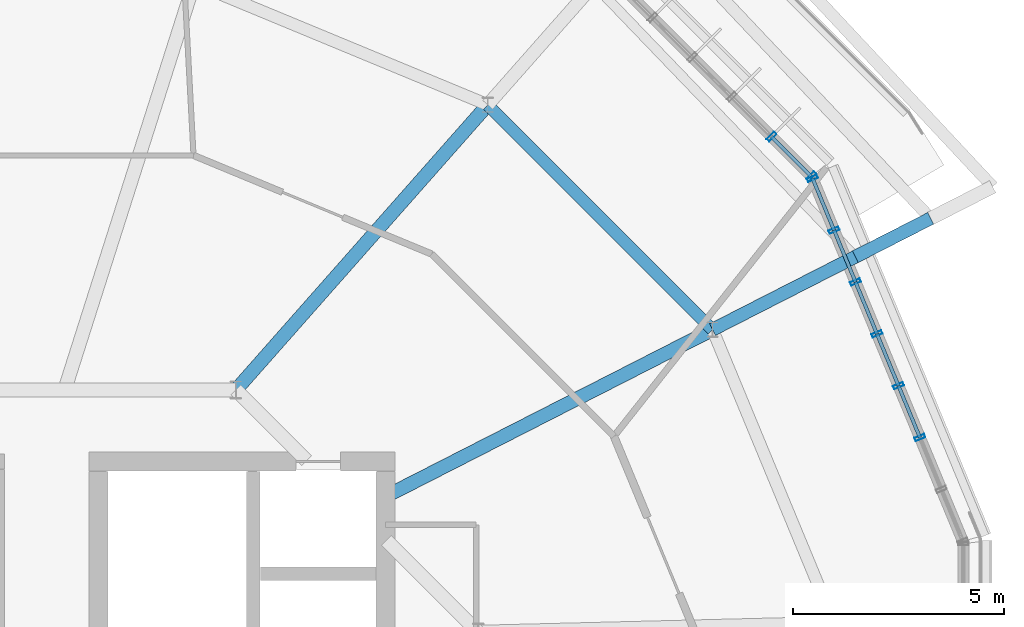
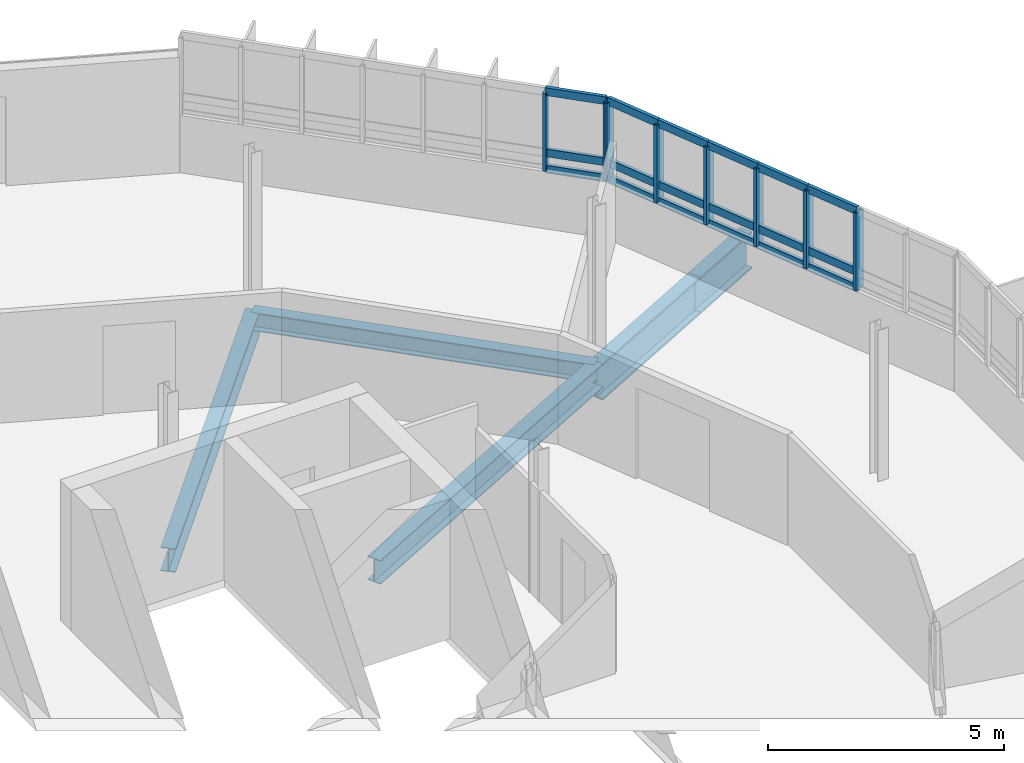
# One storey, part 20 of 31: 26 members, 5 beams, 2 elements without a shape of their own.
"""IFC4 building model written with IfcOpenShell, lengths in metres."""

from ifc_helpers import new_model, si_unit, derived_unit, direction, frame, origin, origin_2d, place, context, subcontext, project, spatial, hollow_rectangle, i_section, extrude, material, layer, layer_set, material_profile, profile_set, type_object, element, aggregate, save


model = new_model("IFC4")

# Units and contexts
model_context = context("Model", 3, precision=1e-05, world=origin(), true_north=direction((0.0, 1.0)))
body_context = subcontext(model_context, "Body", "Model", "MODEL_VIEW")
ifc_project = project(units=[si_unit("LENGTHUNIT", "METRE"), si_unit("AREAUNIT", "SQUARE_METRE"), si_unit("VOLUMEUNIT", "CUBIC_METRE"), si_unit("PLANEANGLEUNIT", "RADIAN"), si_unit("MASSUNIT", "GRAM", prefix="KILO"), derived_unit("THERMALTRANSMITTANCEUNIT", [(si_unit("MASSUNIT", "GRAM", prefix="KILO"), 1), (si_unit("TIMEUNIT", "SECOND"), -3), (si_unit("THERMODYNAMICTEMPERATUREUNIT", "KELVIN"), -1)])], contexts=[model_context])

# Site, building, storey
site_placement = place(None, origin())
site = spatial("IfcSite", under=ifc_project, at=site_placement, CompositionType="ELEMENT")
building_placement = place(site_placement, origin())
building = spatial("IfcBuilding", under=site, at=building_placement, Name="Makaiwela Harbour Ferry Terminal", CompositionType="ELEMENT")
storey_placement = place(building_placement, frame((0.0, 0.0, 21.60009765625)))
storey = spatial("IfcBuildingStorey", under=building, at=storey_placement, Name="L05", CompositionType="ELEMENT", Elevation=21.60009765625)

# Curtain wall, members
ifc_material_1 = material(Name="Marine anodised aluminium 6063-T6", Category="aluminium")
ifc_layer = layer(ifc_material_1, 0.199951171875)
ifc_layer_set = layer_set([ifc_layer], Name="Marine anodised aluminium 6063-T6")
curtain_wall_type = type_object("IfcCurtainWallType", Name="ENV-CW-07", PredefinedType="USERDEFINED", material=ifc_layer_set)
curtain_wall_1_placement = place(storey_placement, origin())
curtain_wall_1 = element("IfcCurtainWall", 1, at=curtain_wall_1_placement, inside=storey, type_object=curtain_wall_type, Name="Unitised Curtain Wall CWA-058", ObjectType="UNITIZED CURTAIN WALL", PredefinedType="USERDEFINED")
ifc_material_profile_1 = material_profile(ifc_material_1, hollow_rectangle(XDim=0.0849609375, YDim=0.25, WallThickness=0.0048828125, at=origin_2d()), Name="CWM-250X85")
ifc_profile_set_1 = profile_set([ifc_material_profile_1], Name="Marine anodised aluminium 6063-T6")
member_type_1 = type_object("IfcMemberType", Name="CW-MUL-250", PredefinedType="MULLION", material=ifc_profile_set_1)
member_1_placement = place(storey_placement, frame((58.06005859375, 76.265869140625, 1.47998046875), z_axis=(0.0, 0.0, 1.0), x_axis=(-0.382683432365, 0.923879532511, 0.0)))
member_1 = element("IfcMember", 2, at=member_1_placement, type_object=member_type_1, Name="Curtain Wall Mullion CWA-058-3", PredefinedType="MULLION", context=body_context, shape_type="SweptSolid", body=[
    extrude(hollow_rectangle(XDim=0.0849609375, YDim=0.25, WallThickness=0.0048828125, at=origin_2d()), origin(), (0.0, 0.0, 1.0), 2.0),
])
member_2_placement = place(storey_placement, frame((57.551513671875, 77.493896484375, 1.47998046875), z_axis=(0.0, 0.0, 1.0), x_axis=(-0.382683432365, 0.923879532511, 0.0)))
member_2 = element("IfcMember", 3, at=member_2_placement, type_object=member_type_1, Name="Curtain Wall Mullion CWA-058-4", PredefinedType="MULLION", context=body_context, shape_type="SweptSolid", body=[
    extrude(hollow_rectangle(XDim=0.0849609375, YDim=0.25, WallThickness=0.0048828125, at=origin_2d()), origin(), (0.0, 0.0, 1.0), 2.0),
])
member_3_placement = place(storey_placement, frame((57.042724609375, 78.721923828125, 1.47998046875), z_axis=(0.0, 0.0, 1.0), x_axis=(-0.382683432365, 0.923879532511, 0.0)))
member_3 = element("IfcMember", 4, at=member_3_placement, type_object=member_type_1, Name="Curtain Wall Mullion CWA-058-5", PredefinedType="MULLION", context=body_context, shape_type="SweptSolid", body=[
    extrude(hollow_rectangle(XDim=0.0849609375, YDim=0.25, WallThickness=0.0048828125, at=origin_2d()), origin(), (0.0, 0.0, 1.0), 2.0),
])
member_4_placement = place(storey_placement, frame((56.5341796875, 79.949951171875, 1.47998046875), z_axis=(0.0, 0.0, 1.0), x_axis=(-0.382683432365, 0.923879532511, 0.0)))
member_4 = element("IfcMember", 5, at=member_4_placement, type_object=member_type_1, Name="Curtain Wall Mullion CWA-058-6", PredefinedType="MULLION", context=body_context, shape_type="SweptSolid", body=[
    extrude(hollow_rectangle(XDim=0.0849609375, YDim=0.25, WallThickness=0.0048828125, at=origin_2d()), origin(), (0.0, 0.0, 1.0), 2.0),
])
member_5_placement = place(storey_placement, frame((56.025390625, 81.177978515625, 1.47998046875), z_axis=(0.0, 0.0, 1.0), x_axis=(-0.382683432365, 0.923879532511, 0.0)))
member_5 = element("IfcMember", 6, at=member_5_placement, type_object=member_type_1, Name="Curtain Wall Mullion CWA-058-7", PredefinedType="MULLION", context=body_context, shape_type="SweptSolid", body=[
    extrude(hollow_rectangle(XDim=0.0849609375, YDim=0.25, WallThickness=0.0048828125, at=origin_2d()), origin(), (0.0, 0.0, 1.0), 2.0),
])
member_6_placement = place(storey_placement, frame((55.516845703125, 82.406005859375, 1.47998046875), z_axis=(0.0, 0.0, 1.0), x_axis=(-0.382683432365, 0.923879532511, 0.0)))
member_6 = element("IfcMember", 7, at=member_6_placement, type_object=member_type_1, Name="Curtain Wall Mullion CWA-058-8", PredefinedType="MULLION", context=body_context, shape_type="SweptSolid", body=[
    extrude(hollow_rectangle(XDim=0.0849609375, YDim=0.25, WallThickness=0.0048828125, at=origin_2d()), origin(), (0.0, 0.0, 1.0), 2.0),
])

curtain_wall_2_placement = place(storey_placement, origin())
curtain_wall_2 = element("IfcCurtainWall", 8, at=curtain_wall_2_placement, inside=storey, type_object=curtain_wall_type, Name="Unitised Curtain Wall CWA-059", ObjectType="UNITIZED CURTAIN WALL", PredefinedType="USERDEFINED")
member_7_placement = place(storey_placement, frame((55.484130859375, 82.454833984375, 1.47998046875), z_axis=(0.0, 0.0, 1.0), x_axis=(-0.707106781187, 0.707106781187, 0.0)))
member_7 = element("IfcMember", 9, at=member_7_placement, type_object=member_type_1, Name="Curtain Wall Mullion CWA-059-1", PredefinedType="MULLION", context=body_context, shape_type="SweptSolid", body=[
    extrude(hollow_rectangle(XDim=0.0849609375, YDim=0.25, WallThickness=0.0048828125, at=origin_2d()), origin(), (0.0, 0.0, 1.0), 2.0),
])
member_8_placement = place(storey_placement, frame((54.544189453125, 83.394775390625, 1.47998046875), z_axis=(0.0, 0.0, 1.0), x_axis=(-0.707106781187, 0.707106781187, 0.0)))
member_8 = element("IfcMember", 10, at=member_8_placement, type_object=member_type_1, Name="Curtain Wall Mullion CWA-059-2", PredefinedType="MULLION", context=body_context, shape_type="SweptSolid", body=[
    extrude(hollow_rectangle(XDim=0.0849609375, YDim=0.25, WallThickness=0.0048828125, at=origin_2d()), origin(), (0.0, 0.0, 1.0), 2.0),
])

# Member
ifc_material_profile_2 = material_profile(ifc_material_1, hollow_rectangle(XDim=0.0849609375, YDim=0.199951171875, WallThickness=0.0048828125, at=origin_2d()), Name="CWT-200X85")
ifc_profile_set_2 = profile_set([ifc_material_profile_2], Name="Marine anodised aluminium 6063-T6")
member_type_2 = type_object("IfcMemberType", Name="CW-TRN-200", PredefinedType="USERDEFINED", material=ifc_profile_set_2)
member_9_placement = place(storey_placement, frame((58.06005859375, 76.265869140625, 1.47998046875), z_axis=(-0.382605946964, 0.923911624209, 0.0), x_axis=(-0.923911624209, -0.382605946964, 0.0)))
member_9 = element("IfcMember", 11, at=member_9_placement, type_object=member_type_2, Name="Curtain Wall Transom CWA-058-3-1", ObjectType="TRANSOM", PredefinedType="USERDEFINED", context=body_context, shape_type="SweptSolid", body=[
    extrude(hollow_rectangle(XDim=0.0849609375, YDim=0.199951171875, WallThickness=0.0048828125, at=origin_2d()), origin(), (0.0, 0.0, 1.0), 1.3291015625),
])

member_10_placement = place(storey_placement, frame((58.06005859375, 76.265869140625, 1.89990234375), z_axis=(-0.382605946964, 0.923911624209, 0.0), x_axis=(-0.923911624209, -0.382605946964, 0.0)))
member_10 = element("IfcMember", 12, at=member_10_placement, type_object=member_type_2, Name="Curtain Wall Transom CWA-058-3-2", ObjectType="TRANSOM", PredefinedType="USERDEFINED", context=body_context, shape_type="SweptSolid", body=[
    extrude(hollow_rectangle(XDim=0.0849609375, YDim=0.199951171875, WallThickness=0.0048828125, at=origin_2d()), origin(), (0.0, 0.0, 1.0), 1.3291015625),
])

member_11_placement = place(storey_placement, frame((58.06005859375, 76.265869140625, 3.47998046875), z_axis=(-0.382605946964, 0.923911624209, 0.0), x_axis=(-0.923911624209, -0.382605946964, 0.0)))
member_11 = element("IfcMember", 13, at=member_11_placement, type_object=member_type_2, Name="Curtain Wall Transom CWA-058-3-3", ObjectType="TRANSOM", PredefinedType="USERDEFINED", context=body_context, shape_type="SweptSolid", body=[
    extrude(hollow_rectangle(XDim=0.0849609375, YDim=0.199951171875, WallThickness=0.0048828125, at=origin_2d()), origin(), (0.0, 0.0, 1.0), 1.3291015625),
])

member_12_placement = place(storey_placement, frame((57.551513671875, 77.493896484375, 1.47998046875), z_axis=(-0.382762722221, 0.923846685591, 0.0), x_axis=(-0.923846685591, -0.382762722221, 0.0)))
member_12 = element("IfcMember", 14, at=member_12_placement, type_object=member_type_2, Name="Curtain Wall Transom CWA-058-4-1", ObjectType="TRANSOM", PredefinedType="USERDEFINED", context=body_context, shape_type="SweptSolid", body=[
    extrude(hollow_rectangle(XDim=0.0849609375, YDim=0.199951171875, WallThickness=0.0048828125, at=origin_2d()), origin(), (0.0, 0.0, 1.0), 1.329345703125),
])

member_13_placement = place(storey_placement, frame((57.551513671875, 77.493896484375, 1.89990234375), z_axis=(-0.382762722221, 0.923846685591, 0.0), x_axis=(-0.923846685591, -0.382762722221, 0.0)))
member_13 = element("IfcMember", 15, at=member_13_placement, type_object=member_type_2, Name="Curtain Wall Transom CWA-058-4-2", ObjectType="TRANSOM", PredefinedType="USERDEFINED", context=body_context, shape_type="SweptSolid", body=[
    extrude(hollow_rectangle(XDim=0.0849609375, YDim=0.199951171875, WallThickness=0.0048828125, at=origin_2d()), origin(), (0.0, 0.0, 1.0), 1.329345703125),
])

member_14_placement = place(storey_placement, frame((57.551513671875, 77.493896484375, 3.47998046875), z_axis=(-0.382762722221, 0.923846685591, 0.0), x_axis=(-0.923846685591, -0.382762722221, 0.0)))
member_14 = element("IfcMember", 16, at=member_14_placement, type_object=member_type_2, Name="Curtain Wall Transom CWA-058-4-3", ObjectType="TRANSOM", PredefinedType="USERDEFINED", context=body_context, shape_type="SweptSolid", body=[
    extrude(hollow_rectangle(XDim=0.0849609375, YDim=0.199951171875, WallThickness=0.0048828125, at=origin_2d()), origin(), (0.0, 0.0, 1.0), 1.329345703125),
])

member_15_placement = place(storey_placement, frame((57.042724609375, 78.721923828125, 1.47998046875), z_axis=(-0.382605946964, 0.923911624209, 0.0), x_axis=(-0.923911624209, -0.382605946964, 0.0)))
member_15 = element("IfcMember", 17, at=member_15_placement, type_object=member_type_2, Name="Curtain Wall Transom CWA-058-5-1", ObjectType="TRANSOM", PredefinedType="USERDEFINED", context=body_context, shape_type="SweptSolid", body=[
    extrude(hollow_rectangle(XDim=0.0849609375, YDim=0.199951171875, WallThickness=0.0048828125, at=origin_2d()), origin(), (0.0, 0.0, 1.0), 1.3291015625),
])

member_16_placement = place(storey_placement, frame((57.042724609375, 78.721923828125, 1.89990234375), z_axis=(-0.382605946964, 0.923911624209, 0.0), x_axis=(-0.923911624209, -0.382605946964, 0.0)))
member_16 = element("IfcMember", 18, at=member_16_placement, type_object=member_type_2, Name="Curtain Wall Transom CWA-058-5-2", ObjectType="TRANSOM", PredefinedType="USERDEFINED", context=body_context, shape_type="SweptSolid", body=[
    extrude(hollow_rectangle(XDim=0.0849609375, YDim=0.199951171875, WallThickness=0.0048828125, at=origin_2d()), origin(), (0.0, 0.0, 1.0), 1.3291015625),
])

member_17_placement = place(storey_placement, frame((57.042724609375, 78.721923828125, 3.47998046875), z_axis=(-0.382605946964, 0.923911624209, 0.0), x_axis=(-0.923911624209, -0.382605946964, 0.0)))
member_17 = element("IfcMember", 19, at=member_17_placement, type_object=member_type_2, Name="Curtain Wall Transom CWA-058-5-3", ObjectType="TRANSOM", PredefinedType="USERDEFINED", context=body_context, shape_type="SweptSolid", body=[
    extrude(hollow_rectangle(XDim=0.0849609375, YDim=0.199951171875, WallThickness=0.0048828125, at=origin_2d()), origin(), (0.0, 0.0, 1.0), 1.3291015625),
])

member_18_placement = place(storey_placement, frame((56.5341796875, 79.949951171875, 1.47998046875), z_axis=(-0.382762722221, 0.923846685591, 0.0), x_axis=(-0.923846685591, -0.382762722221, 0.0)))
member_18 = element("IfcMember", 20, at=member_18_placement, type_object=member_type_2, Name="Curtain Wall Transom CWA-058-6-1", ObjectType="TRANSOM", PredefinedType="USERDEFINED", context=body_context, shape_type="SweptSolid", body=[
    extrude(hollow_rectangle(XDim=0.0849609375, YDim=0.199951171875, WallThickness=0.0048828125, at=origin_2d()), origin(), (0.0, 0.0, 1.0), 1.329345703125),
])

member_19_placement = place(storey_placement, frame((56.5341796875, 79.949951171875, 1.89990234375), z_axis=(-0.382762722221, 0.923846685591, 0.0), x_axis=(-0.923846685591, -0.382762722221, 0.0)))
member_19 = element("IfcMember", 21, at=member_19_placement, type_object=member_type_2, Name="Curtain Wall Transom CWA-058-6-2", ObjectType="TRANSOM", PredefinedType="USERDEFINED", context=body_context, shape_type="SweptSolid", body=[
    extrude(hollow_rectangle(XDim=0.0849609375, YDim=0.199951171875, WallThickness=0.0048828125, at=origin_2d()), origin(), (0.0, 0.0, 1.0), 1.329345703125),
])

member_20_placement = place(storey_placement, frame((56.5341796875, 79.949951171875, 3.47998046875), z_axis=(-0.382762722221, 0.923846685591, 0.0), x_axis=(-0.923846685591, -0.382762722221, 0.0)))
member_20 = element("IfcMember", 22, at=member_20_placement, type_object=member_type_2, Name="Curtain Wall Transom CWA-058-6-3", ObjectType="TRANSOM", PredefinedType="USERDEFINED", context=body_context, shape_type="SweptSolid", body=[
    extrude(hollow_rectangle(XDim=0.0849609375, YDim=0.199951171875, WallThickness=0.0048828125, at=origin_2d()), origin(), (0.0, 0.0, 1.0), 1.329345703125),
])

member_21_placement = place(storey_placement, frame((56.025390625, 81.177978515625, 1.47998046875), z_axis=(-0.382605946964, 0.923911624209, 0.0), x_axis=(-0.923911624209, -0.382605946964, 0.0)))
member_21 = element("IfcMember", 23, at=member_21_placement, type_object=member_type_2, Name="Curtain Wall Transom CWA-058-7-1", ObjectType="TRANSOM", PredefinedType="USERDEFINED", context=body_context, shape_type="SweptSolid", body=[
    extrude(hollow_rectangle(XDim=0.0849609375, YDim=0.199951171875, WallThickness=0.0048828125, at=origin_2d()), origin(), (0.0, 0.0, 1.0), 1.3291015625),
])

member_22_placement = place(storey_placement, frame((56.025390625, 81.177978515625, 1.89990234375), z_axis=(-0.382605946964, 0.923911624209, 0.0), x_axis=(-0.923911624209, -0.382605946964, 0.0)))
member_22 = element("IfcMember", 24, at=member_22_placement, type_object=member_type_2, Name="Curtain Wall Transom CWA-058-7-2", ObjectType="TRANSOM", PredefinedType="USERDEFINED", context=body_context, shape_type="SweptSolid", body=[
    extrude(hollow_rectangle(XDim=0.0849609375, YDim=0.199951171875, WallThickness=0.0048828125, at=origin_2d()), origin(), (0.0, 0.0, 1.0), 1.3291015625),
])

member_23_placement = place(storey_placement, frame((56.025390625, 81.177978515625, 3.47998046875), z_axis=(-0.382605946964, 0.923911624209, 0.0), x_axis=(-0.923911624209, -0.382605946964, 0.0)))
member_23 = element("IfcMember", 25, at=member_23_placement, type_object=member_type_2, Name="Curtain Wall Transom CWA-058-7-3", ObjectType="TRANSOM", PredefinedType="USERDEFINED", context=body_context, shape_type="SweptSolid", body=[
    extrude(hollow_rectangle(XDim=0.0849609375, YDim=0.199951171875, WallThickness=0.0048828125, at=origin_2d()), origin(), (0.0, 0.0, 1.0), 1.3291015625),
])

aggregate(curtain_wall_1, [member_1, member_2, member_3, member_4, member_5, member_6, member_9, member_10, member_11, member_12, member_13, member_14, member_15, member_16, member_17, member_18, member_19, member_20, member_21, member_22, member_23])

member_24_placement = place(storey_placement, frame((55.484130859375, 82.454833984375, 1.47998046875), z_axis=(-0.707106781187, 0.707106781187, 0.0), x_axis=(-0.707106781187, -0.707106781187, 0.0)))
member_24 = element("IfcMember", 26, at=member_24_placement, type_object=member_type_2, Name="Curtain Wall Transom CWA-059-1-1", ObjectType="TRANSOM", PredefinedType="USERDEFINED", context=body_context, shape_type="SweptSolid", body=[
    extrude(hollow_rectangle(XDim=0.0849609375, YDim=0.199951171875, WallThickness=0.0048828125, at=origin_2d()), origin(), (0.0, 0.0, 1.0), 1.329345703125),
])

member_25_placement = place(storey_placement, frame((55.484130859375, 82.454833984375, 1.89990234375), z_axis=(-0.707106781187, 0.707106781187, 0.0), x_axis=(-0.707106781187, -0.707106781187, 0.0)))
member_25 = element("IfcMember", 27, at=member_25_placement, type_object=member_type_2, Name="Curtain Wall Transom CWA-059-1-2", ObjectType="TRANSOM", PredefinedType="USERDEFINED", context=body_context, shape_type="SweptSolid", body=[
    extrude(hollow_rectangle(XDim=0.0849609375, YDim=0.199951171875, WallThickness=0.0048828125, at=origin_2d()), origin(), (0.0, 0.0, 1.0), 1.329345703125),
])

member_26_placement = place(storey_placement, frame((55.484130859375, 82.454833984375, 3.47998046875), z_axis=(-0.707106781187, 0.707106781187, 0.0), x_axis=(-0.707106781187, -0.707106781187, 0.0)))
member_26 = element("IfcMember", 28, at=member_26_placement, type_object=member_type_2, Name="Curtain Wall Transom CWA-059-1-3", ObjectType="TRANSOM", PredefinedType="USERDEFINED", context=body_context, shape_type="SweptSolid", body=[
    extrude(hollow_rectangle(XDim=0.0849609375, YDim=0.199951171875, WallThickness=0.0048828125, at=origin_2d()), origin(), (0.0, 0.0, 1.0), 1.329345703125),
])

aggregate(curtain_wall_2, [member_7, member_8, member_24, member_25, member_26])

# Beams
ifc_material_2 = material(Name="Steel ASTM A992 Grade 50", Category="steel")
ifc_material_profile_3 = material_profile(ifc_material_2, i_section(OverallWidth=0.324951171875, OverallDepth=0.615966796875, WebThickness=0.013916015625, FlangeThickness=0.021484375, at=origin_2d()), Name="W24X117")
ifc_profile_set_3 = profile_set([ifc_material_profile_3], Name="Steel ASTM A992 Grade 50")
beam_type_1 = type_object("IfcBeamType", Name="STR-GRD-W24X117", PredefinedType="USERDEFINED", material=ifc_profile_set_3)
beam_1_placement = place(storey_placement, frame((45.43994140625, 74.8896484375, -0.55810546875), z_axis=(0.890740656369, 0.454511917436, 0.0), x_axis=(-0.454511917436, 0.890740656369, 0.0)))
element("IfcBeam", 29, at=beam_1_placement, inside=storey, type_object=beam_type_1, Name="Drum radial girder 525", ObjectType="GIRDER", PredefinedType="USERDEFINED", context=body_context, shape_type="SweptSolid", body=[
    extrude(i_section(OverallWidth=0.324951171875, OverallDepth=0.615966796875, WebThickness=0.013916015625, FlangeThickness=0.021484375, at=origin_2d()), origin(), (0.0, 0.0, 1.0), 8.65283203125),
])
beam_2_placement = place(storey_placement, frame((41.8564453125, 77.39306640625, -0.55810546875), z_axis=(0.662014887938, 0.749490685832, 0.0), x_axis=(-0.749490685832, 0.662014887938, 0.0)))
element("IfcBeam", 30, at=beam_2_placement, inside=storey, type_object=beam_type_1, Name="Drum radial girder 529", ObjectType="GIRDER", PredefinedType="USERDEFINED", context=body_context, shape_type="SweptSolid", body=[
    extrude(i_section(OverallWidth=0.324951171875, OverallDepth=0.615966796875, WebThickness=0.013916015625, FlangeThickness=0.021484375, at=origin_2d()), origin(), (0.0, 0.0, 1.0), 9.011962890625),
])
ifc_material_profile_4 = material_profile(ifc_material_2, i_section(OverallWidth=0.31005859375, OverallDepth=0.949951171875, WebThickness=0.0244140625, FlangeThickness=0.0439453125, at=origin_2d()), Name="W36X256")
ifc_profile_set_4 = profile_set([ifc_material_profile_4], Name="Steel ASTM A992 Grade 50")
beam_type_2 = type_object("IfcBeamType", Name="STR-GRD-W36X256", PredefinedType="USERDEFINED", material=ifc_profile_set_4)
beam_3_placement = place(storey_placement, frame((53.1474609375, 78.822509765625, -0.72509765625), z_axis=(0.890748068291, 0.454497391452, 0.0), x_axis=(-0.454497391452, 0.890748068291, 0.0)))
element("IfcBeam", 31, at=beam_3_placement, inside=storey, type_object=beam_type_2, Name="Drum radial overhang 526", ObjectType="GIRDER", PredefinedType="USERDEFINED", context=body_context, shape_type="SweptSolid", body=[
    extrude(i_section(OverallWidth=0.31005859375, OverallDepth=0.949951171875, WebThickness=0.0244140625, FlangeThickness=0.0439453125, at=origin_2d()), origin(), (0.0, 0.0, 1.0), 3.7998046875),
])
beam_4_placement = place(storey_placement, frame((56.5322265625, 80.549560546875, -0.72509765625), z_axis=(0.890710431999, 0.454571145507, 0.0), x_axis=(-0.454571145507, 0.890710431999, 0.0)))
element("IfcBeam", 32, at=beam_4_placement, inside=storey, type_object=beam_type_2, Name="Drum overhang radial girder 527", ObjectType="GIRDER", PredefinedType="USERDEFINED", context=body_context, shape_type="SweptSolid", body=[
    extrude(i_section(OverallWidth=0.31005859375, OverallDepth=0.949951171875, WebThickness=0.0244140625, FlangeThickness=0.0439453125, at=origin_2d()), origin(), (0.0, 0.0, 1.0), 2.0),
])
ifc_material_profile_5 = material_profile(ifc_material_2, i_section(OverallWidth=0.283935546875, OverallDepth=0.47607421875, WebThickness=0.014892578125, FlangeThickness=0.02392578125, at=origin_2d()), Name="W18X106")
ifc_profile_set_5 = profile_set([ifc_material_profile_5], Name="Steel ASTM A992 Grade 50")
beam_type_3 = type_object("IfcBeamType", Name="STR-SPN-W18X106", PredefinedType="SPANDREL", material=ifc_profile_set_5)
beam_5_placement = place(storey_placement, frame((53.1474609375, 78.822509765625, -0.488037109375), z_axis=(-0.707106781187, 0.707106781187, 0.0), x_axis=(-0.707106781187, -0.707106781187, 0.0)))
element("IfcBeam", 33, at=beam_5_placement, inside=storey, type_object=beam_type_3, Name="Drum column ring girder 508", PredefinedType="SPANDREL", context=body_context, shape_type="SweptSolid", body=[
    extrude(i_section(OverallWidth=0.283935546875, OverallDepth=0.47607421875, WebThickness=0.014892578125, FlangeThickness=0.02392578125, at=origin_2d()), origin(), (0.0, 0.0, 1.0), 7.530517578125),
])

save(model, "model.ifc")
